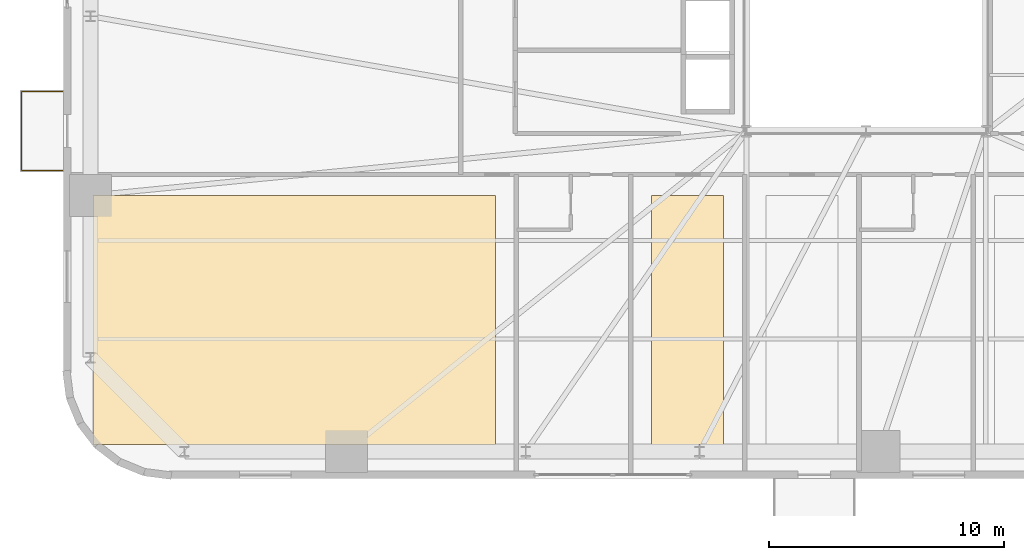
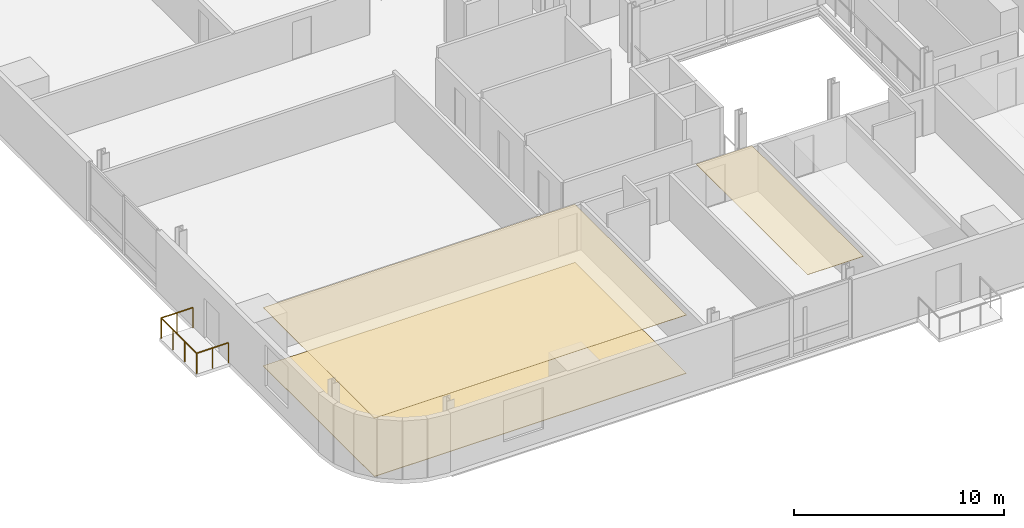
# One storey, part 10 of 13: 3 coverings, 1 railing.
"""IFC4 building model written with IfcOpenShell, lengths in metres."""

from ifc_helpers import new_model, si_unit, direction, frame, origin, origin_2d, place, context, subcontext, project, spatial, polyline, rectangle, outline, extrude, source, transform, mapped, material, layer, layer_set, type_object, element, save


model = new_model("IFC4")

# Units and contexts
model_context = context("Model", 3, precision=1e-05, world=origin(), true_north=direction((0.0, 1.0)))
body_context = subcontext(model_context, "Body", "Model", "MODEL_VIEW")
ifc_project = project(units=[si_unit("LENGTHUNIT", "METRE"), si_unit("AREAUNIT", "SQUARE_METRE"), si_unit("VOLUMEUNIT", "CUBIC_METRE"), si_unit("PLANEANGLEUNIT", "RADIAN"), si_unit("MASSUNIT", "GRAM", prefix="KILO")], contexts=[model_context])

# Site, building, storey
site_placement = place(None, origin())
site = spatial("IfcSite", under=ifc_project, at=site_placement, CompositionType="ELEMENT")
building_placement = place(site_placement, origin())
building = spatial("IfcBuilding", under=site, at=building_placement, Name="Vardaveli Station Tower", CompositionType="ELEMENT")
storey_placement = place(building_placement, frame((0.0, 0.0, 45.85009765625)))
storey = spatial("IfcBuildingStorey", under=building, at=storey_placement, Name="L11", CompositionType="ELEMENT", Elevation=45.85009765625)

# Coverings
ifc_material_1 = material(Name="Perforated acoustic mineral ceiling")
ifc_layer_1 = layer(ifc_material_1, 0.02001953125, Name="Perforated acoustic mineral ceiling")
ifc_layer_set_1 = layer_set([ifc_layer_1], Name="Perforated acoustic mineral ceiling")
covering_type_1 = type_object("IfcCoveringType", Name="COV-CEIL-AC20", PredefinedType="CEILING", material=ifc_layer_set_1)
covering_1_placement = place(storey_placement, frame((0.0, 0.0, 3.39501953125)))
element("IfcCovering", 1, at=covering_1_placement, inside=storey, type_object=covering_type_1, Name="CEIL-L11-1", PredefinedType="CEILING", context=body_context, shape_type="SweptSolid", body=[
    extrude(outline(polyline([(3.35009765625, 3.25), (20.5, 3.25), (20.5, 13.860107421875), (3.35009765625, 13.860107421875), (3.35009765625, 3.25)])), origin(), (0.0, 0.0, 1.0), 0.019775390625),
])
covering_2_placement = place(storey_placement, frame((0.0, 0.0, 3.39501953125)))
element("IfcCovering", 2, at=covering_2_placement, inside=storey, type_object=covering_type_1, Name="CEIL-L11-2", PredefinedType="CEILING", context=body_context, shape_type="SweptSolid", body=[
    extrude(outline(polyline([(27.166748046875, 3.25), (30.2333984375, 3.25), (30.2333984375, 13.860107421875), (27.166748046875, 13.860107421875), (27.166748046875, 3.25)])), origin(), (0.0, 0.0, 1.0), 0.019775390625),
])
ifc_material_2 = material(Name="Honed Caucasian basalt and travertine flooring", Category="masonry")
ifc_layer_2 = layer(ifc_material_2, 0.030029296875, Name="Honed Caucasian basalt and travertine flooring")
ifc_layer_set_2 = layer_set([ifc_layer_2], Name="Honed Caucasian basalt and travertine flooring")
covering_type_2 = type_object("IfcCoveringType", Name="COV-FLOOR-ST30", PredefinedType="FLOORING", material=ifc_layer_set_2)
covering_3_placement = place(storey_placement, origin())
element("IfcCovering", 3, at=covering_3_placement, inside=storey, type_object=covering_type_2, Name="FLR-L11-1", PredefinedType="FLOORING", context=body_context, shape_type="SweptSolid", body=[
    extrude(outline(polyline([(3.35009765625, 3.25), (20.5, 3.25), (20.5, 13.860107421875), (3.35009765625, 13.860107421875), (3.35009765625, 3.25)])), origin(), (0.0, 0.0, 1.0), 0.02978515625),
])

# Railing
ifc_material_3 = material(Name="Laminated glass and stainless steel balustrade", Category="steel")
railing_type = type_object("IfcRailingType", Name="RL-BAL-1200", PredefinedType="BALUSTRADE", material=ifc_material_3)
shared_shape = source(origin(), body_context, "Body", "SweptSolid", [
    extrude(rectangle(XDim=0.048095703125, YDim=0.048095703125, at=origin_2d()), frame((0.0, 0.0, 1.17578125), z_axis=(-1.0, 0.0, 0.0), x_axis=(0.0, -1.0, 0.0)), (0.0, 0.0, 1.0), 1.75),
    extrude(rectangle(XDim=0.048095703125, YDim=0.048095703125, at=origin_2d()), frame((-1.75, 0.0, 1.17578125), z_axis=(0.0, 1.0, 0.0), x_axis=(-1.0, 0.0, 0.0)), (0.0, 0.0, 1.0), 3.3798828125),
    extrude(rectangle(XDim=0.048095703125, YDim=0.048095703125, at=origin_2d()), frame((-1.75, 3.3798828125, 1.17578125), z_axis=(1.0, 0.0, 0.0), x_axis=(0.0, 1.0, 0.0)), (0.0, 0.0, 1.0), 1.75),
    extrude(rectangle(XDim=0.0419921875, YDim=0.0419921875, at=origin_2d()), origin(), (0.0, 0.0, 1.0), 1.15185546875),
    extrude(rectangle(XDim=0.0419921875, YDim=0.0419921875, at=origin_2d()), frame((-0.875, 0.0, 0.0)), (0.0, 0.0, 1.0), 1.15185546875),
    extrude(rectangle(XDim=0.0419921875, YDim=0.0419921875, at=origin_2d()), frame((-1.75, 0.0, 0.0)), (0.0, 0.0, 1.0), 1.15185546875),
    extrude(rectangle(XDim=0.0419921875, YDim=0.0419921875, at=origin_2d()), frame((-1.75, 1.126708984375, 0.0)), (0.0, 0.0, 1.0), 1.15185546875),
    extrude(rectangle(XDim=0.0419921875, YDim=0.0419921875, at=origin_2d()), frame((-1.75, 2.253173828125, 0.0)), (0.0, 0.0, 1.0), 1.15185546875),
    extrude(rectangle(XDim=0.0419921875, YDim=0.0419921875, at=origin_2d()), frame((-1.75, 3.3798828125, 0.0)), (0.0, 0.0, 1.0), 1.15185546875),
    extrude(rectangle(XDim=0.0419921875, YDim=0.0419921875, at=origin_2d()), frame((-0.875, 3.3798828125, 0.0)), (0.0, 0.0, 1.0), 1.15185546875),
    extrude(rectangle(XDim=0.0419921875, YDim=0.0419921875, at=origin_2d()), frame((0.0, 3.3798828125, 0.0)), (0.0, 0.0, 1.0), 1.15185546875),
])
railing_placement = place(storey_placement, frame((2.06005859375, 14.92041015625, 0.0)))
element("IfcRailing", 4, at=railing_placement, inside=storey, type_object=railing_type, Name="RL-LOG-L11-03", PredefinedType="BALUSTRADE", context=body_context, shape_type="MappedRepresentation", body=[
    mapped(shared_shape, transform((0.0, 0.0, 0.0), scale=1.0)),
])

save(model, "model.ifc")
